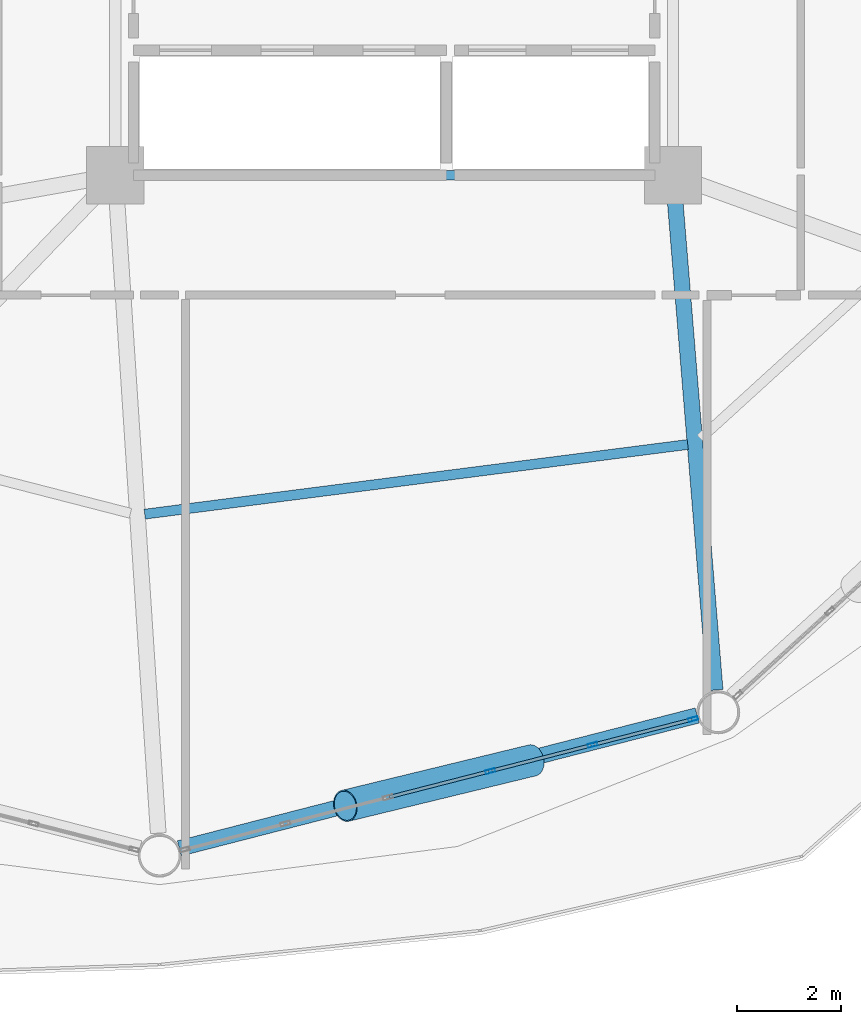
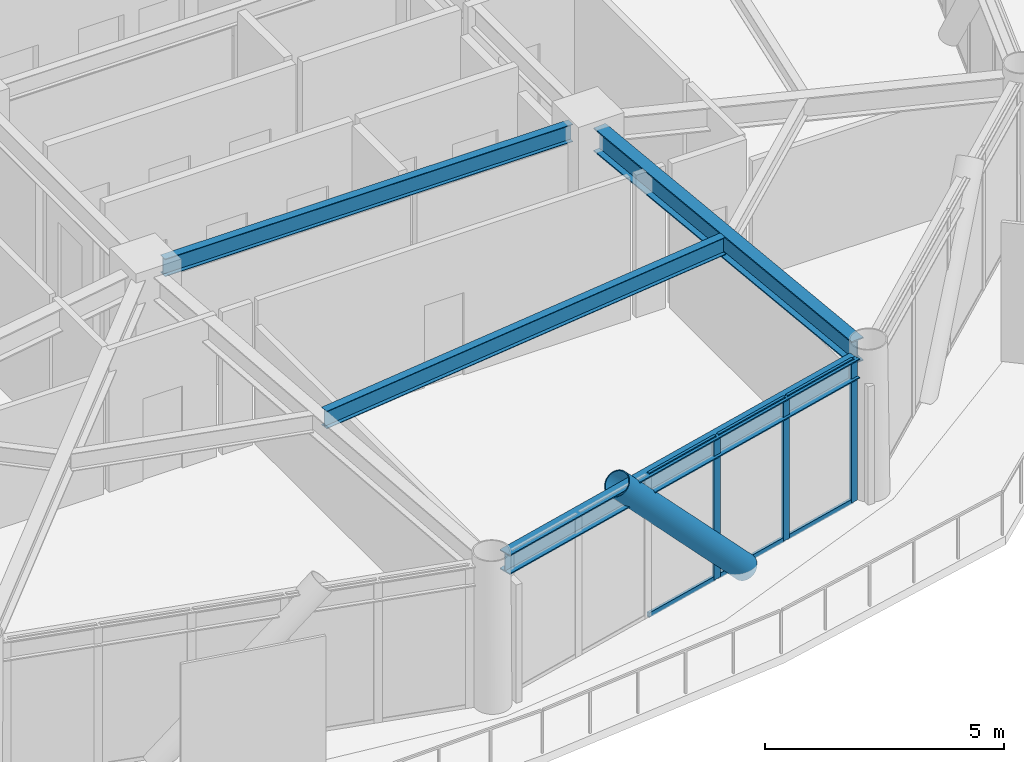
# One storey, part 7 of 24: 10 members, 4 beams, 1 element without a shape of its own.
"""IFC4 building model written with IfcOpenShell, lengths in metres."""

from ifc_helpers import new_model, si_unit, direction, frame, origin, origin_2d, place, context, subcontext, project, spatial, hollow_rectangle, hollow_circle, i_section, extrude, material, layer, layer_set, material_profile, profile_set, type_object, element, aggregate, save


model = new_model("IFC4")

# Units and contexts
model_context = context("Model", 3, precision=1e-05, world=origin(), true_north=direction((0.0, 1.0)))
body_context = subcontext(model_context, "Body", "Model", "MODEL_VIEW")
ifc_project = project(units=[si_unit("LENGTHUNIT", "METRE"), si_unit("AREAUNIT", "SQUARE_METRE"), si_unit("VOLUMEUNIT", "CUBIC_METRE"), si_unit("PLANEANGLEUNIT", "RADIAN"), si_unit("MASSUNIT", "GRAM", prefix="KILO")], contexts=[model_context])

# Site, building, storey
site_placement = place(None, origin())
site = spatial("IfcSite", under=ifc_project, at=site_placement, CompositionType="ELEMENT")
building_placement = place(site_placement, origin())
building = spatial("IfcBuilding", under=site, at=building_placement, Name="Varnakorn Sky Granary", CompositionType="ELEMENT")
storey_placement = place(building_placement, frame((0.0, 0.0, 103.199951171875)))
storey = spatial("IfcBuildingStorey", under=building, at=storey_placement, Name="L25", CompositionType="ELEMENT", Elevation=103.199951171875)

# Beams
ifc_material_1 = material(Name="Steel S355JR", Category="steel")
ifc_material_profile_1 = material_profile(ifc_material_1, i_section(OverallWidth=0.300048828125, OverallDepth=0.60009765625, WebThickness=0.015380859375, FlangeThickness=0.030029296875, at=origin_2d()), Name="HE 600 B")
ifc_profile_set_1 = profile_set([ifc_material_profile_1], Name="Steel S355JR")
beam_type_1 = type_object("IfcBeamType", Name="BM-RAD-Z2", PredefinedType="BEAM", material=ifc_profile_set_1)
beam_1_placement = place(storey_placement, frame((8.38427734375, -7.0185546875, 3.340087890625), z_axis=(0.081625376389, -0.996663081452, 0.0), x_axis=(0.996663081452, 0.081625376389, 0.0)))
element("IfcBeam", 1, at=beam_1_placement, inside=storey, type_object=beam_type_1, Name="Radial Floor Girder RG11 L25", PredefinedType="BEAM", context=body_context, shape_type="SweptSolid", body=[
    extrude(i_section(OverallWidth=0.300048828125, OverallDepth=0.60009765625, WebThickness=0.015380859375, FlangeThickness=0.030029296875, at=origin_2d()), origin(), (0.0, 0.0, 1.0), 9.490478515625),
])
ifc_material_profile_2 = material_profile(ifc_material_1, i_section(OverallWidth=0.18994140625, OverallDepth=0.449951171875, WebThickness=0.009521484375, FlangeThickness=0.0146484375, at=origin_2d()), Name="IPE 450")
ifc_profile_set_2 = profile_set([ifc_material_profile_2], Name="Steel S355JR")
beam_type_2 = type_object("IfcBeamType", Name="BM-SEC-Z2", PredefinedType="BEAM", material=ifc_profile_set_2)
beam_2_placement = place(storey_placement, frame((-1.78515625, -13.102294921875, 3.4150390625), z_axis=(0.991872189889, 0.127238197587, 0.0), x_axis=(-0.127238197587, 0.991872189889, 0.0)))
element("IfcBeam", 2, at=beam_2_placement, inside=storey, type_object=beam_type_2, Name="Secondary Floor Chord Beam MSB10 L25", PredefinedType="BEAM", context=body_context, shape_type="SweptSolid", body=[
    extrude(i_section(OverallWidth=0.18994140625, OverallDepth=0.449951171875, WebThickness=0.009521484375, FlangeThickness=0.0146484375, at=origin_2d()), origin(), (0.0, 0.0, 1.0), 10.50341796875),
])
beam_3_placement = place(storey_placement, frame((-1.929931640625, -6.60009765625, 3.4150390625), z_axis=(1.0, 0.0, 0.0), x_axis=(0.0, 1.0, 0.0)))
element("IfcBeam", 3, at=beam_3_placement, inside=storey, type_object=beam_type_2, Name="Core Spine Framing Beam 6 L25", PredefinedType="BEAM", context=body_context, shape_type="SweptSolid", body=[
    extrude(i_section(OverallWidth=0.18994140625, OverallDepth=0.449951171875, WebThickness=0.009521484375, FlangeThickness=0.0146484375, at=origin_2d()), origin(), (0.0, 0.0, 1.0), 9.85986328125),
])
ifc_material_profile_3 = material_profile(ifc_material_1, i_section(OverallWidth=0.300048828125, OverallDepth=0.5, WebThickness=0.014404296875, FlangeThickness=0.028076171875, at=origin_2d()), Name="HE 500 B")
ifc_profile_set_3 = profile_set([ifc_material_profile_3], Name="Steel S355JR")
beam_type_3 = type_object("IfcBeamType", Name="BM-SPD-Z2", PredefinedType="SPANDREL", material=ifc_profile_set_3)
beam_4_placement = place(storey_placement, frame((-1.120849609375, -19.5146484375, 3.39013671875), z_axis=(0.968593917233, 0.248647991141, 0.0), x_axis=(-0.248647991141, 0.968593917233, 0.0)))
element("IfcBeam", 4, at=beam_4_placement, inside=storey, type_object=beam_type_3, Name="Perimeter Spandrel Ring Beam RB10 L25", PredefinedType="SPANDREL", context=body_context, shape_type="SweptSolid", body=[
    extrude(i_section(OverallWidth=0.300048828125, OverallDepth=0.5, WebThickness=0.014404296875, FlangeThickness=0.028076171875, at=origin_2d()), origin(), (0.0, 0.0, 1.0), 10.254638671875),
])

# Curtain wall, members
ifc_material_2 = material(Name="Anodised Bronze Aluminium Alloy 6063-T6", Category="aluminium")
ifc_layer = layer(ifc_material_2, 0.179931640625, Name="Anodised Bronze Aluminium Alloy 6063-T6")
ifc_layer_set = layer_set([ifc_layer], Name="Anodised Bronze Aluminium Alloy 6063-T6")
curtain_wall_type = type_object("IfcCurtainWallType", Name="CW-FRM-2", PredefinedType="USERDEFINED", material=ifc_layer_set)
curtain_wall_placement = place(storey_placement, origin())
curtain_wall = element("IfcCurtainWall", 5, at=curtain_wall_placement, inside=storey, type_object=curtain_wall_type, Name="Unitised Curtain Wall CW4 CW-L25-B10", ObjectType="CURTAIN WALL", PredefinedType="USERDEFINED")
ifc_material_profile_4 = material_profile(ifc_material_2, hollow_rectangle(XDim=0.070068359375, YDim=0.18505859375, WallThickness=0.00390625, at=origin_2d()), Name="ALU MULL 70x185")
ifc_profile_set_4 = profile_set([ifc_material_profile_4], Name="Anodised Bronze Aluminium Alloy 6063-T6")
member_type_1 = type_object("IfcMemberType", Name="CW-FRM-2-MULL", PredefinedType="MULLION", material=ifc_profile_set_4)
member_1_placement = place(storey_placement, frame((8.73828125, -17.03369140625, 0.0), z_axis=(0.0, 0.0, 1.0), x_axis=(0.24847715644, -0.968637756196, 0.0)))
member_1 = element("IfcMember", 6, at=member_1_placement, type_object=member_type_1, Name="CW4 mullion 1", PredefinedType="MULLION", context=body_context, shape_type="SweptSolid", body=[
    extrude(hollow_rectangle(XDim=0.070068359375, YDim=0.18505859375, WallThickness=0.00390625, at=origin_2d()), origin(), (0.0, 0.0, 1.0), 3.64013671875),
])
member_2_placement = place(storey_placement, frame((6.80810546875, -17.52880859375, 0.0), z_axis=(0.0, 0.0, 1.0), x_axis=(0.24847715644, -0.968637756196, 0.0)))
member_2 = element("IfcMember", 7, at=member_2_placement, type_object=member_type_1, Name="CW4 mullion 2", PredefinedType="MULLION", context=body_context, shape_type="SweptSolid", body=[
    extrude(hollow_rectangle(XDim=0.070068359375, YDim=0.18505859375, WallThickness=0.00390625, at=origin_2d()), origin(), (0.0, 0.0, 1.0), 3.64013671875),
])
member_3_placement = place(storey_placement, frame((4.843994140625, -18.03271484375, 0.0), z_axis=(0.0, 0.0, 1.0), x_axis=(0.24847715644, -0.968637756196, 0.0)))
member_3 = element("IfcMember", 8, at=member_3_placement, type_object=member_type_1, Name="CW4 mullion 3", PredefinedType="MULLION", context=body_context, shape_type="SweptSolid", body=[
    extrude(hollow_rectangle(XDim=0.070068359375, YDim=0.18505859375, WallThickness=0.00390625, at=origin_2d()), origin(), (0.0, 0.0, 1.0), 3.64013671875),
])
ifc_material_profile_5 = material_profile(ifc_material_2, hollow_rectangle(XDim=0.06494140625, YDim=0.1201171875, WallThickness=0.00341796875, at=origin_2d()), Name="ALU TRAN 65x120")
ifc_profile_set_5 = profile_set([ifc_material_profile_5], Name="Anodised Bronze Aluminium Alloy 6063-T6")
member_type_2 = type_object("IfcMemberType", Name="CW-FRM-2-TRAN", PredefinedType="USERDEFINED", material=ifc_profile_set_5)
member_4_placement = place(storey_placement, frame((8.704345703125, -17.04248046875, 0.032470703125), z_axis=(-0.968660732407, -0.248387571131, 0.0), x_axis=(0.248387571131, -0.968660732407, 0.0)))
member_4 = element("IfcMember", 9, at=member_4_placement, type_object=member_type_2, Name="CW4 transom 1.1", ObjectType="TRANSOM", PredefinedType="USERDEFINED", context=body_context, shape_type="SweptSolid", body=[
    extrude(hollow_rectangle(XDim=0.06494140625, YDim=0.1201171875, WallThickness=0.00341796875, at=origin_2d()), origin(), (0.0, 0.0, 1.0), 1.922607421875),
])
member_5_placement = place(storey_placement, frame((8.704345703125, -17.04248046875, 3.607666015625), z_axis=(-0.968660732407, -0.248387571131, 0.0), x_axis=(0.248387571131, -0.968660732407, 0.0)))
member_5 = element("IfcMember", 10, at=member_5_placement, type_object=member_type_2, Name="CW4 transom 1.2", ObjectType="TRANSOM", PredefinedType="USERDEFINED", context=body_context, shape_type="SweptSolid", body=[
    extrude(hollow_rectangle(XDim=0.06494140625, YDim=0.1201171875, WallThickness=0.00341796875, at=origin_2d()), origin(), (0.0, 0.0, 1.0), 1.922607421875),
])
member_6_placement = place(storey_placement, frame((6.774169921875, -17.53759765625, 0.032470703125), z_axis=(-0.968650016028, -0.248429359074, 0.0), x_axis=(0.248429359074, -0.968650016028, 0.0)))
member_6 = element("IfcMember", 11, at=member_6_placement, type_object=member_type_2, Name="CW4 transom 2.1", ObjectType="TRANSOM", PredefinedType="USERDEFINED", context=body_context, shape_type="SweptSolid", body=[
    extrude(hollow_rectangle(XDim=0.06494140625, YDim=0.1201171875, WallThickness=0.00341796875, at=origin_2d()), origin(), (0.0, 0.0, 1.0), 1.95751953125),
])
member_7_placement = place(storey_placement, frame((6.774169921875, -17.53759765625, 3.607666015625), z_axis=(-0.968650016028, -0.248429359074, 0.0), x_axis=(0.248429359074, -0.968650016028, 0.0)))
member_7 = element("IfcMember", 12, at=member_7_placement, type_object=member_type_2, Name="CW4 transom 2.2", ObjectType="TRANSOM", PredefinedType="USERDEFINED", context=body_context, shape_type="SweptSolid", body=[
    extrude(hollow_rectangle(XDim=0.06494140625, YDim=0.1201171875, WallThickness=0.00341796875, at=origin_2d()), origin(), (0.0, 0.0, 1.0), 1.95751953125),
])
member_8_placement = place(storey_placement, frame((4.81005859375, -18.041259765625, 0.032470703125), z_axis=(-0.968619998688, -0.248546370205, 0.0), x_axis=(0.248546370205, -0.968619998688, 0.0)))
member_8 = element("IfcMember", 13, at=member_8_placement, type_object=member_type_2, Name="CW4 transom 3.1", ObjectType="TRANSOM", PredefinedType="USERDEFINED", context=body_context, shape_type="SweptSolid", body=[
    extrude(hollow_rectangle(XDim=0.06494140625, YDim=0.1201171875, WallThickness=0.00341796875, at=origin_2d()), origin(), (0.0, 0.0, 1.0), 1.957763671875),
])
member_9_placement = place(storey_placement, frame((4.81005859375, -18.041259765625, 3.607666015625), z_axis=(-0.968619998688, -0.248546370205, 0.0), x_axis=(0.248546370205, -0.968619998688, 0.0)))
member_9 = element("IfcMember", 14, at=member_9_placement, type_object=member_type_2, Name="CW4 transom 3.2", ObjectType="TRANSOM", PredefinedType="USERDEFINED", context=body_context, shape_type="SweptSolid", body=[
    extrude(hollow_rectangle(XDim=0.06494140625, YDim=0.1201171875, WallThickness=0.00341796875, at=origin_2d()), origin(), (0.0, 0.0, 1.0), 1.957763671875),
])
aggregate(curtain_wall, [member_1, member_2, member_3, member_4, member_5, member_6, member_7, member_8, member_9])

# Member
ifc_material_3 = material(Name="Steel S460M", Category="steel")
ifc_material_profile_6 = material_profile(ifc_material_3, hollow_circle(Radius=0.304931640625, WallThickness=0.022216796875, at=origin_2d()), Name="CHS 610x22")
ifc_profile_set_6 = profile_set([ifc_material_profile_6], Name="Steel S460M")
member_type_3 = type_object("IfcMemberType", Name="MB-DIAG-T1", PredefinedType="BRACE", material=ifc_profile_set_6)
member_10_placement = place(storey_placement, frame((5.6494140625, -17.826171875, -0.1298828125), z_axis=(-0.666055707324, -0.161808862513, 0.72813988131), x_axis=(0.236069623511, -0.97173614364, 0.0)))
element("IfcMember", 15, at=member_10_placement, inside=storey, type_object=member_type_3, Name="Perimeter CHS Diagrid Brace DG10 L25", PredefinedType="BRACE", context=body_context, shape_type="SweptSolid", body=[
    extrude(hollow_circle(Radius=0.304931640625, WallThickness=0.022216796875, at=origin_2d()), origin(), (0.0, 0.0, 1.0), 5.383544921875),
])

save(model, "model.ifc")
